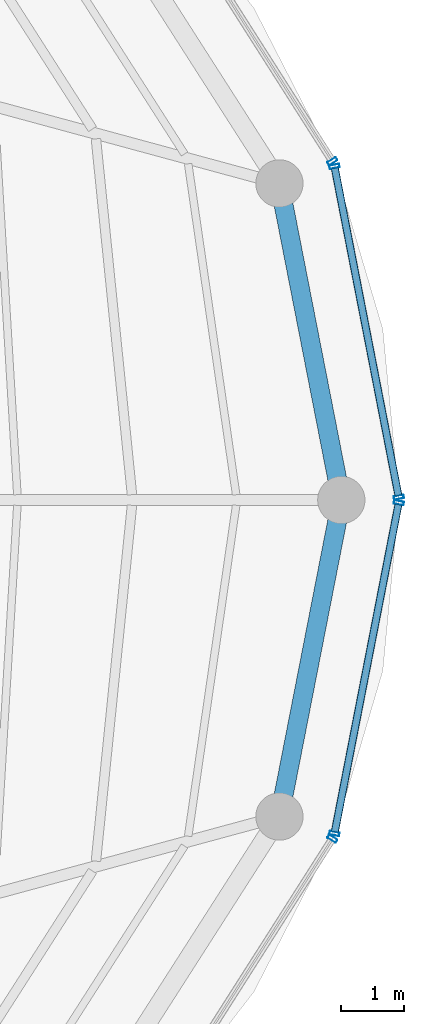
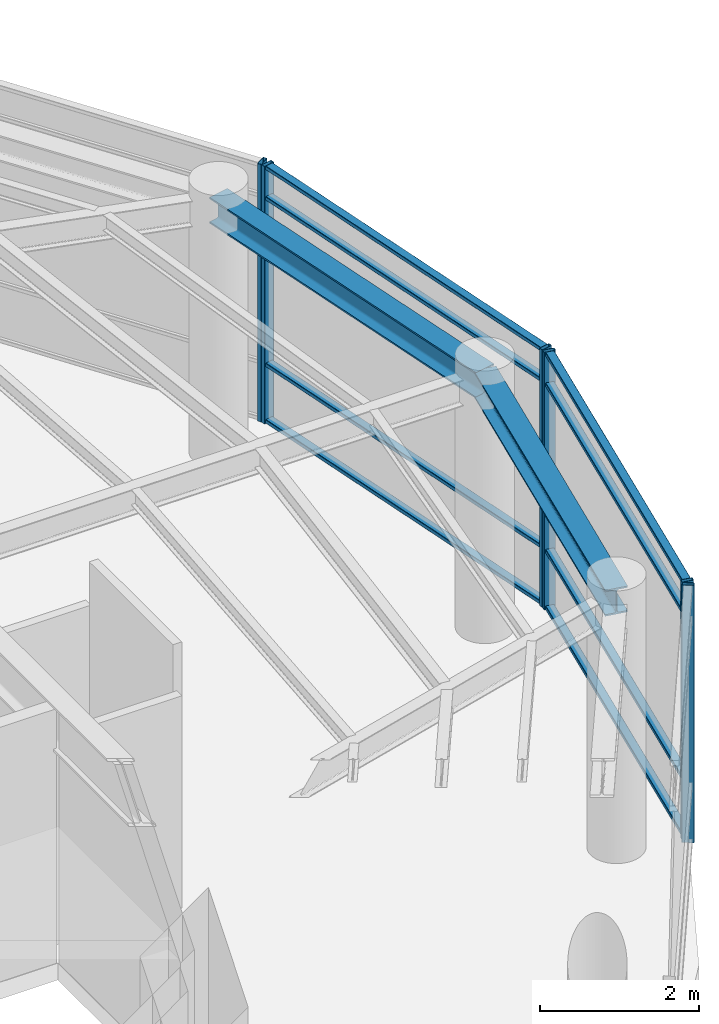
# One storey, part 15 of 19: 14 members, 2 beams, 4 elements without a shape of their own.
"""IFC4 building model written with IfcOpenShell, lengths in metres."""

from ifc_helpers import new_model, si_unit, direction, frame, origin, origin_2d, place, context, subcontext, project, spatial, hollow_rectangle, i_section, extrude, material, layer, layer_set, material_profile, profile_set, type_object, element, aggregate, save


model = new_model("IFC4")

# Units and contexts
model_context = context("Model", 3, precision=1e-05, world=origin(), true_north=direction((0.0, 1.0)))
body_context = subcontext(model_context, "Body", "Model", "MODEL_VIEW")
ifc_project = project(units=[si_unit("LENGTHUNIT", "METRE"), si_unit("AREAUNIT", "SQUARE_METRE"), si_unit("VOLUMEUNIT", "CUBIC_METRE"), si_unit("PLANEANGLEUNIT", "RADIAN"), si_unit("MASSUNIT", "GRAM", prefix="KILO")], contexts=[model_context])

# Site, building, storey
site_placement = place(None, origin())
site = spatial("IfcSite", under=ifc_project, at=site_placement, CompositionType="ELEMENT")
building_placement = place(site_placement, origin())
building = spatial("IfcBuilding", under=site, at=building_placement, Name="Kelanora Arch Commons", CompositionType="ELEMENT")
storey_placement = place(building_placement, frame((0.0, 0.0, 306.89990234375)))
storey = spatial("IfcBuildingStorey", under=building, at=storey_placement, Name="L78", CompositionType="ELEMENT", Elevation=306.89990234375)

# Beams
ifc_material_1 = material(Name="Steel S355", Category="steel")
ifc_material_profile_1 = material_profile(ifc_material_1, i_section(OverallWidth=0.300048828125, OverallDepth=0.39990234375, WebThickness=0.013427734375, FlangeThickness=0.02392578125, FilletRadius=0.027099609375, at=origin_2d()), Name="HEB400")
ifc_profile_set_1 = profile_set([ifc_material_profile_1], Name="Steel S355")
beam_type = type_object("IfcBeamType", Name="BM-SPN-Z4", PredefinedType="SPANDREL", material=ifc_profile_set_1)
for number, where, z_axis, x_axis, name in (
    (1, (90.280029296875, 58.0, 3.780029296875), (-0.191929675955, 0.981408681176, 0.0), (-0.981408681176, -0.191929675955, 0.0), "Perimeter Spandrel Beam BS-00 L78"),
    (2, (89.298095703125, 52.97900390625, 3.780029296875), (0.191929675955, 0.981408681176, 0.0), (-0.981408681176, 0.191929675955, 0.0), "Perimeter Spandrel Beam BS-34 L78"),
):
    element("IfcBeam", number, at=place(storey_placement, frame(where, z_axis=z_axis, x_axis=x_axis)), inside=storey, type_object=beam_type, Name=name, PredefinedType="SPANDREL", context=body_context, shape_type="SweptSolid", body=[
        extrude(i_section(OverallWidth=0.300048828125, OverallDepth=0.39990234375, WebThickness=0.013427734375, FlangeThickness=0.02392578125, FilletRadius=0.027099609375, at=origin_2d()), origin(), (0.0, 0.0, 1.0), 5.1162109375),
    ])

# Curtain wall, members
ifc_material_2 = material(Name="Terracotta ceramic-fritted low-E glass and aluminium", Category="masonry")
ifc_layer = layer(ifc_material_2, 0.14990234375)
ifc_layer_set = layer_set([ifc_layer], Name="Terracotta ceramic-fritted low-E glass and aluminium")
curtain_wall_type = type_object("IfcCurtainWallType", Name="CW-SYS-06", PredefinedType="NOTDEFINED", material=ifc_layer_set)
curtain_wall_1_placement = place(storey_placement, origin())
curtain_wall_1 = element("IfcCurtainWall", 3, at=curtain_wall_1_placement, inside=storey, type_object=curtain_wall_type, Name="Unitised Curtain Wall L78-B00", PredefinedType="NOTDEFINED")
ifc_material_3 = material(Name="Powder-coated aluminium terracotta", Category="masonry")
ifc_material_profile_2 = material_profile(ifc_material_3, hollow_rectangle(XDim=0.159912109375, YDim=0.06005859375, WallThickness=0.0048828125, InnerFilletRadius=0.0048828125, OuterFilletRadius=0.010009765625, at=origin_2d()), Name="CWM160x60")
ifc_profile_set_2 = profile_set([ifc_material_profile_2], Name="Powder-coated aluminium terracotta")
member_type_1 = type_object("IfcMemberType", Name="CWM-STD", PredefinedType="MULLION", material=ifc_profile_set_2)
member_1_placement = place(storey_placement, frame((91.19140625, 58.044189453125, 0.0), z_axis=(0.0, 0.0, 1.0), x_axis=(-0.981623765263, -0.190826579571, 0.0)))
member_1 = element("IfcMember", 4, at=member_1_placement, type_object=member_type_1, Name="CW-06 mullion 1", PredefinedType="MULLION", context=body_context, shape_type="SweptSolid", body=[
    extrude(hollow_rectangle(XDim=0.159912109375, YDim=0.06005859375, WallThickness=0.0048828125, InnerFilletRadius=0.0048828125, OuterFilletRadius=0.010009765625, at=origin_2d()), origin(), (0.0, 0.0, 1.0), 3.965087890625),
])
member_2_placement = place(storey_placement, frame((90.17138671875, 63.291259765625, 0.0), z_axis=(0.0, 0.0, 1.0), x_axis=(-0.981623765263, -0.190826579571, 0.0)))
member_2 = element("IfcMember", 5, at=member_2_placement, type_object=member_type_1, Name="CW-06 mullion 2", PredefinedType="MULLION", context=body_context, shape_type="SweptSolid", body=[
    extrude(hollow_rectangle(XDim=0.159912109375, YDim=0.06005859375, WallThickness=0.0048828125, InnerFilletRadius=0.0048828125, OuterFilletRadius=0.010009765625, at=origin_2d()), origin(), (0.0, 0.0, 1.0), 3.965087890625),
])

# Curtain wall, member
curtain_wall_2_placement = place(storey_placement, origin())
curtain_wall_2 = element("IfcCurtainWall", 6, at=curtain_wall_2_placement, inside=storey, type_object=curtain_wall_type, Name="Unitised Curtain Wall L78-B01", PredefinedType="NOTDEFINED")
member_3_placement = place(storey_placement, frame((90.138427734375, 63.37353515625, 0.0), z_axis=(0.0, 0.0, 1.0), x_axis=(-0.84359225554, -0.536984270154, 0.0)))
member_3 = element("IfcMember", 7, at=member_3_placement, type_object=member_type_1, Name="CW-06 mullion 1", PredefinedType="MULLION", context=body_context, shape_type="SweptSolid", body=[
    extrude(hollow_rectangle(XDim=0.159912109375, YDim=0.06005859375, WallThickness=0.0048828125, InnerFilletRadius=0.0048828125, OuterFilletRadius=0.010009765625, at=origin_2d()), origin(), (0.0, 0.0, 1.0), 3.965087890625),
])
aggregate(curtain_wall_2, [member_3])

curtain_wall_3_placement = place(storey_placement, origin())
curtain_wall_3 = element("IfcCurtainWall", 8, at=curtain_wall_3_placement, inside=storey, type_object=curtain_wall_type, Name="Unitised Curtain Wall L78-B16", PredefinedType="NOTDEFINED")
member_4_placement = place(storey_placement, frame((90.138427734375, 52.62646484375, 0.0), z_axis=(0.0, 0.0, 1.0), x_axis=(-0.84359225554, 0.536984270154, 0.0)))
member_4 = element("IfcMember", 9, at=member_4_placement, type_object=member_type_1, Name="CW-06 mullion 2", PredefinedType="MULLION", context=body_context, shape_type="SweptSolid", body=[
    extrude(hollow_rectangle(XDim=0.159912109375, YDim=0.06005859375, WallThickness=0.0048828125, InnerFilletRadius=0.0048828125, OuterFilletRadius=0.010009765625, at=origin_2d()), origin(), (0.0, 0.0, 1.0), 3.965087890625),
])
aggregate(curtain_wall_3, [member_4])

# Curtain wall, members
curtain_wall_4_placement = place(storey_placement, origin())
curtain_wall_4 = element("IfcCurtainWall", 10, at=curtain_wall_4_placement, inside=storey, type_object=curtain_wall_type, Name="Unitised Curtain Wall L78-B17", PredefinedType="NOTDEFINED")
member_5_placement = place(storey_placement, frame((90.17138671875, 52.708740234375, 0.0), z_axis=(0.0, 0.0, 1.0), x_axis=(-0.981623765263, 0.190826579571, 0.0)))
member_5 = element("IfcMember", 11, at=member_5_placement, type_object=member_type_1, Name="CW-06 mullion 1", PredefinedType="MULLION", context=body_context, shape_type="SweptSolid", body=[
    extrude(hollow_rectangle(XDim=0.159912109375, YDim=0.06005859375, WallThickness=0.0048828125, InnerFilletRadius=0.0048828125, OuterFilletRadius=0.010009765625, at=origin_2d()), origin(), (0.0, 0.0, 1.0), 3.965087890625),
])
member_6_placement = place(storey_placement, frame((91.19140625, 57.955810546875, 0.0), z_axis=(0.0, 0.0, 1.0), x_axis=(-0.981623765263, 0.190826579571, 0.0)))
member_6 = element("IfcMember", 12, at=member_6_placement, type_object=member_type_1, Name="CW-06 mullion 2", PredefinedType="MULLION", context=body_context, shape_type="SweptSolid", body=[
    extrude(hollow_rectangle(XDim=0.159912109375, YDim=0.06005859375, WallThickness=0.0048828125, InnerFilletRadius=0.0048828125, OuterFilletRadius=0.010009765625, at=origin_2d()), origin(), (0.0, 0.0, 1.0), 3.965087890625),
])

# Member
ifc_material_profile_3 = material_profile(ifc_material_3, hollow_rectangle(XDim=0.1201171875, YDim=0.06005859375, WallThickness=0.0048828125, InnerFilletRadius=0.0048828125, OuterFilletRadius=0.010009765625, at=origin_2d()), Name="CWT120x60")
ifc_profile_set_3 = profile_set([ifc_material_profile_3], Name="Powder-coated aluminium terracotta")
member_type_2 = type_object("IfcMemberType", Name="CWT-STD", PredefinedType="USERDEFINED", material=ifc_profile_set_3)
member_7_placement = place(storey_placement, frame((91.185546875, 58.073486328125, 0.030029296875), z_axis=(-0.190810315943, 0.981626926755, 0.0), x_axis=(-0.981626926755, -0.190810315943, 0.0)))
member_7 = element("IfcMember", 13, at=member_7_placement, type_object=member_type_2, Name="CW-06 transom 1.1", ObjectType="TRANSOM", PredefinedType="USERDEFINED", context=body_context, shape_type="SweptSolid", body=[
    extrude(hollow_rectangle(XDim=0.1201171875, YDim=0.06005859375, WallThickness=0.0048828125, InnerFilletRadius=0.0048828125, OuterFilletRadius=0.010009765625, at=origin_2d()), origin(), (0.0, 0.0, 1.0), 5.28564453125),
])

member_8_placement = place(storey_placement, frame((91.185546875, 58.073486328125, 0.900146484375), z_axis=(-0.190810315943, 0.981626926755, 0.0), x_axis=(-0.981626926755, -0.190810315943, 0.0)))
member_8 = element("IfcMember", 14, at=member_8_placement, type_object=member_type_2, Name="CW-06 transom 1.2", ObjectType="TRANSOM", PredefinedType="USERDEFINED", context=body_context, shape_type="SweptSolid", body=[
    extrude(hollow_rectangle(XDim=0.1201171875, YDim=0.06005859375, WallThickness=0.0048828125, InnerFilletRadius=0.0048828125, OuterFilletRadius=0.010009765625, at=origin_2d()), origin(), (0.0, 0.0, 1.0), 5.28564453125),
])

member_9_placement = place(storey_placement, frame((91.185546875, 58.073486328125, 3.465087890625), z_axis=(-0.190810315943, 0.981626926755, 0.0), x_axis=(-0.981626926755, -0.190810315943, 0.0)))
member_9 = element("IfcMember", 15, at=member_9_placement, type_object=member_type_2, Name="CW-06 transom 1.3", ObjectType="TRANSOM", PredefinedType="USERDEFINED", context=body_context, shape_type="SweptSolid", body=[
    extrude(hollow_rectangle(XDim=0.1201171875, YDim=0.06005859375, WallThickness=0.0048828125, InnerFilletRadius=0.0048828125, OuterFilletRadius=0.010009765625, at=origin_2d()), origin(), (0.0, 0.0, 1.0), 5.28564453125),
])

member_10_placement = place(storey_placement, frame((91.185546875, 58.073486328125, 3.93505859375), z_axis=(-0.190810315943, 0.981626926755, 0.0), x_axis=(-0.981626926755, -0.190810315943, 0.0)))
member_10 = element("IfcMember", 16, at=member_10_placement, type_object=member_type_2, Name="CW-06 transom 1.4", ObjectType="TRANSOM", PredefinedType="USERDEFINED", context=body_context, shape_type="SweptSolid", body=[
    extrude(hollow_rectangle(XDim=0.1201171875, YDim=0.06005859375, WallThickness=0.0048828125, InnerFilletRadius=0.0048828125, OuterFilletRadius=0.010009765625, at=origin_2d()), origin(), (0.0, 0.0, 1.0), 5.28564453125),
])

aggregate(curtain_wall_1, [member_1, member_2, member_7, member_8, member_9, member_10])

member_11_placement = place(storey_placement, frame((90.177001953125, 52.738037109375, 0.030029296875), z_axis=(0.190810315943, 0.981626926755, 0.0), x_axis=(-0.981626926755, 0.190810315943, 0.0)))
member_11 = element("IfcMember", 17, at=member_11_placement, type_object=member_type_2, Name="CW-06 transom 1.1", ObjectType="TRANSOM", PredefinedType="USERDEFINED", context=body_context, shape_type="SweptSolid", body=[
    extrude(hollow_rectangle(XDim=0.1201171875, YDim=0.06005859375, WallThickness=0.0048828125, InnerFilletRadius=0.0048828125, OuterFilletRadius=0.010009765625, at=origin_2d()), origin(), (0.0, 0.0, 1.0), 5.28564453125),
])

member_12_placement = place(storey_placement, frame((90.177001953125, 52.738037109375, 0.900146484375), z_axis=(0.190810315943, 0.981626926755, 0.0), x_axis=(-0.981626926755, 0.190810315943, 0.0)))
member_12 = element("IfcMember", 18, at=member_12_placement, type_object=member_type_2, Name="CW-06 transom 1.2", ObjectType="TRANSOM", PredefinedType="USERDEFINED", context=body_context, shape_type="SweptSolid", body=[
    extrude(hollow_rectangle(XDim=0.1201171875, YDim=0.06005859375, WallThickness=0.0048828125, InnerFilletRadius=0.0048828125, OuterFilletRadius=0.010009765625, at=origin_2d()), origin(), (0.0, 0.0, 1.0), 5.28564453125),
])

member_13_placement = place(storey_placement, frame((90.177001953125, 52.738037109375, 3.465087890625), z_axis=(0.190810315943, 0.981626926755, 0.0), x_axis=(-0.981626926755, 0.190810315943, 0.0)))
member_13 = element("IfcMember", 19, at=member_13_placement, type_object=member_type_2, Name="CW-06 transom 1.3", ObjectType="TRANSOM", PredefinedType="USERDEFINED", context=body_context, shape_type="SweptSolid", body=[
    extrude(hollow_rectangle(XDim=0.1201171875, YDim=0.06005859375, WallThickness=0.0048828125, InnerFilletRadius=0.0048828125, OuterFilletRadius=0.010009765625, at=origin_2d()), origin(), (0.0, 0.0, 1.0), 5.28564453125),
])

member_14_placement = place(storey_placement, frame((90.177001953125, 52.738037109375, 3.93505859375), z_axis=(0.190810315943, 0.981626926755, 0.0), x_axis=(-0.981626926755, 0.190810315943, 0.0)))
member_14 = element("IfcMember", 20, at=member_14_placement, type_object=member_type_2, Name="CW-06 transom 1.4", ObjectType="TRANSOM", PredefinedType="USERDEFINED", context=body_context, shape_type="SweptSolid", body=[
    extrude(hollow_rectangle(XDim=0.1201171875, YDim=0.06005859375, WallThickness=0.0048828125, InnerFilletRadius=0.0048828125, OuterFilletRadius=0.010009765625, at=origin_2d()), origin(), (0.0, 0.0, 1.0), 5.28564453125),
])

aggregate(curtain_wall_4, [member_5, member_6, member_11, member_12, member_13, member_14])

save(model, "model.ifc")
